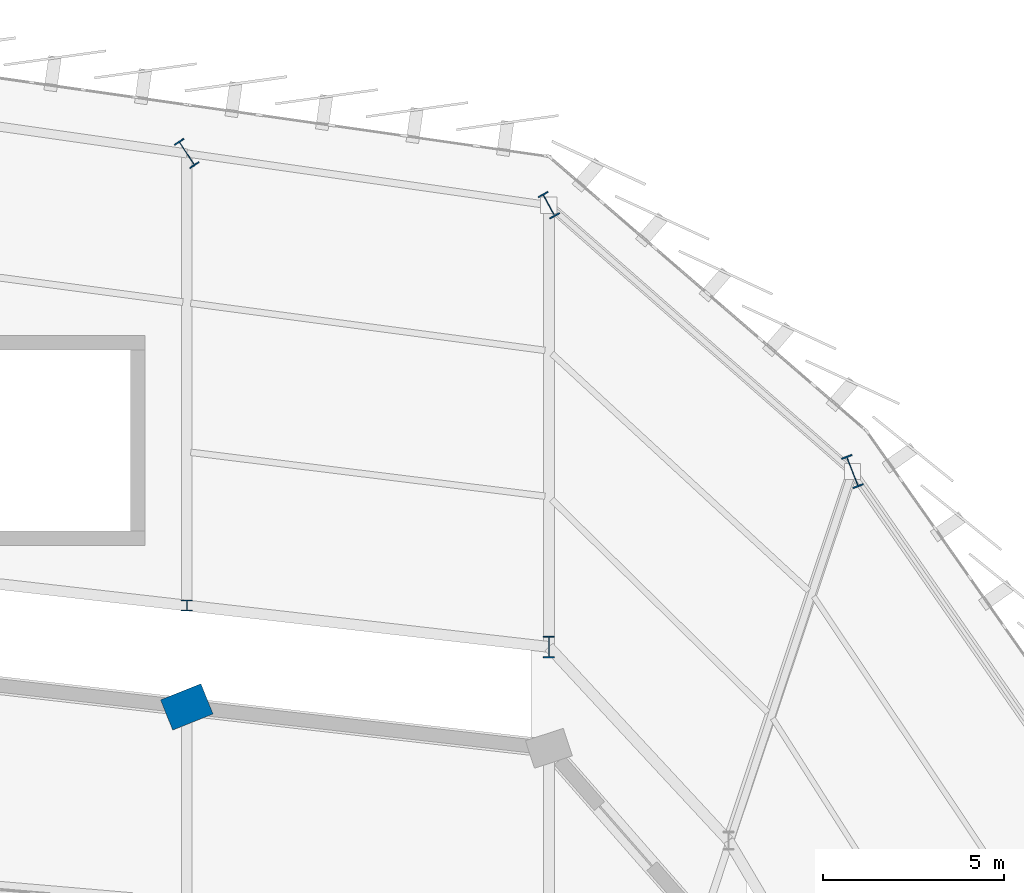
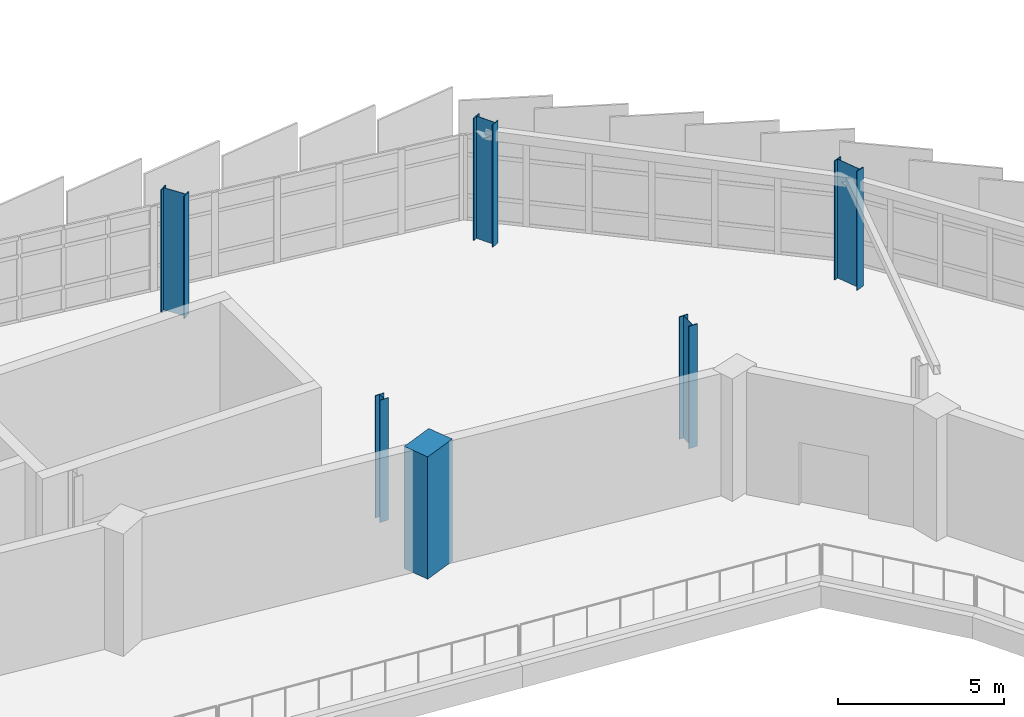
# One storey, part 14 of 87: 6 columns.
"""IFC4 building model written with IfcOpenShell, lengths in metres."""

from ifc_helpers import new_model, si_unit, direction, frame, origin, origin_2d, place, context, subcontext, project, spatial, rectangle, i_section, extrude, material, material_profile, profile_set, type_object, element, save


model = new_model("IFC4")

# Units and contexts
model_context = context("Model", 3, precision=1e-05, world=origin(), true_north=direction((0.0, 1.0)))
body_context = subcontext(model_context, "Body", "Model", "MODEL_VIEW")
ifc_project = project(units=[si_unit("LENGTHUNIT", "METRE"), si_unit("AREAUNIT", "SQUARE_METRE"), si_unit("VOLUMEUNIT", "CUBIC_METRE"), si_unit("PLANEANGLEUNIT", "RADIAN"), si_unit("MASSUNIT", "GRAM", prefix="KILO")], contexts=[model_context])

# Site, building, storey
site_placement = place(None, origin())
site = spatial("IfcSite", under=ifc_project, at=site_placement, CompositionType="ELEMENT")
building_placement = place(site_placement, origin())
building = spatial("IfcBuilding", under=site, at=building_placement, Name="Sohan Crest Arena", CompositionType="ELEMENT")
storey_placement = place(building_placement, frame((0.0, 0.0, 18.0)))
storey = spatial("IfcBuildingStorey", under=building, at=storey_placement, Name="L04", CompositionType="ELEMENT", Elevation=18.0)

# Columns
ifc_material_1 = material(Name="Concrete C40/50", Category="concrete")
ifc_material_profile_1 = material_profile(ifc_material_1, rectangle(XDim=1.199951171875, YDim=0.89990234375, at=origin_2d()), Name="RC 1200x900")
ifc_profile_set_1 = profile_set([ifc_material_profile_1], Name="Concrete C40/50")
column_type_1 = type_object("IfcColumnType", Name="STR-COL-C11", PredefinedType="COLUMN", material=ifc_profile_set_1)
column_1_placement = place(storey_placement, frame((158.0, 102.14306640625, 0.0), z_axis=(0.0, 0.0, 1.0), x_axis=(0.927836253899, 0.372987782576, 0.0)))
element("IfcColumn", 1, at=column_1_placement, inside=storey, type_object=column_type_1, Name="Structural column COL-V1R-29-L04", PredefinedType="COLUMN", context=body_context, shape_type="SweptSolid", body=[
    extrude(rectangle(XDim=1.199951171875, YDim=0.89990234375, at=origin_2d()), origin(), (0.0, 0.0, 1.0), 4.5),
])
ifc_material_2 = material(Name="Steel S355", Category="steel")
ifc_material_profile_2 = material_profile(ifc_material_2, i_section(OverallWidth=0.300048828125, OverallDepth=0.300048828125, WebThickness=0.010986328125, FlangeThickness=0.01904296875, at=origin_2d()), Name="HEB 300")
ifc_profile_set_2 = profile_set([ifc_material_profile_2], Name="Steel S355")
column_type_2 = type_object("IfcColumnType", Name="STR-COL-C17", PredefinedType="COLUMN", material=ifc_profile_set_2)
column_2_placement = place(storey_placement, frame((158.0, 104.943115234375, 0.0), z_axis=(0.0, 0.0, 1.0), x_axis=(1.0, 0.0, 0.0)))
element("IfcColumn", 2, at=column_2_placement, inside=storey, type_object=column_type_2, Name="Structural column COL-V2I-29-L04", PredefinedType="COLUMN", context=body_context, shape_type="SweptSolid", body=[
    extrude(i_section(OverallWidth=0.300048828125, OverallDepth=0.300048828125, WebThickness=0.010986328125, FlangeThickness=0.01904296875, at=origin_2d()), origin(), (0.0, 0.0, 1.0), 4.5),
])
ifc_material_profile_3 = material_profile(ifc_material_2, i_section(OverallWidth=0.300048828125, OverallDepth=0.60009765625, WebThickness=0.015380859375, FlangeThickness=0.030029296875, at=origin_2d()), Name="HEB 600")
ifc_profile_set_3 = profile_set([ifc_material_profile_3], Name="Steel S355")
column_type_3 = type_object("IfcColumnType", Name="STR-COL-C20", PredefinedType="COLUMN", material=ifc_profile_set_3)
column_3_placement = place(storey_placement, frame((168.0, 103.800048828125, 0.0), z_axis=(0.0, 0.0, 1.0), x_axis=(1.0, 0.0, 0.0)))
element("IfcColumn", 3, at=column_3_placement, inside=storey, type_object=column_type_3, Name="Structural column COL-V2I-28-L04", PredefinedType="COLUMN", context=body_context, shape_type="SweptSolid", body=[
    extrude(i_section(OverallWidth=0.300048828125, OverallDepth=0.60009765625, WebThickness=0.015380859375, FlangeThickness=0.030029296875, at=origin_2d()), origin(), (0.0, 0.0, 1.0), 4.5),
])
ifc_material_profile_4 = material_profile(ifc_material_2, i_section(OverallWidth=0.300048828125, OverallDepth=0.699951171875, WebThickness=0.01708984375, FlangeThickness=0.031982421875, at=origin_2d()), Name="HEB 700")
ifc_profile_set_4 = profile_set([ifc_material_profile_4], Name="Steel S355")
column_type_4 = type_object("IfcColumnType", Name="STR-COL-C21", PredefinedType="COLUMN", material=ifc_profile_set_4)
column_4_placement = place(storey_placement, frame((168.0, 116.0, 0.0), z_axis=(0.0, 0.0, 1.0), x_axis=(0.878817112662, 0.47715876026, 0.0)))
element("IfcColumn", 4, at=column_4_placement, inside=storey, type_object=column_type_4, Name="Structural column COL-V2O-28-L04", PredefinedType="COLUMN", context=body_context, shape_type="SweptSolid", body=[
    extrude(i_section(OverallWidth=0.300048828125, OverallDepth=0.699951171875, WebThickness=0.01708984375, FlangeThickness=0.031982421875, at=origin_2d()), origin(), (0.0, 0.0, 1.0), 4.5),
])
ifc_material_profile_5 = material_profile(ifc_material_2, i_section(OverallWidth=0.300048828125, OverallDepth=0.800048828125, WebThickness=0.017578125, FlangeThickness=0.032958984375, at=origin_2d()), Name="HEB 800")
ifc_profile_set_5 = profile_set([ifc_material_profile_5], Name="Steel S355")
column_type_5 = type_object("IfcColumnType", Name="STR-COL-C22", PredefinedType="COLUMN", material=ifc_profile_set_5)
column_5_placement = place(storey_placement, frame((158.0, 117.428955078125, 0.0), z_axis=(0.0, 0.0, 1.0), x_axis=(0.835807361368, 0.549022817998, 0.0)))
element("IfcColumn", 5, at=column_5_placement, inside=storey, type_object=column_type_5, Name="Structural column COL-V2O-29-L04", PredefinedType="COLUMN", context=body_context, shape_type="SweptSolid", body=[
    extrude(i_section(OverallWidth=0.300048828125, OverallDepth=0.800048828125, WebThickness=0.017578125, FlangeThickness=0.032958984375, at=origin_2d()), origin(), (0.0, 0.0, 1.0), 4.5),
])
ifc_material_profile_6 = material_profile(ifc_material_2, i_section(OverallWidth=0.300048828125, OverallDepth=0.89990234375, WebThickness=0.0185546875, FlangeThickness=0.034912109375, at=origin_2d()), Name="HEB 900")
ifc_profile_set_6 = profile_set([ifc_material_profile_6], Name="Steel S355")
column_type_6 = type_object("IfcColumnType", Name="STR-COL-C23", PredefinedType="COLUMN", material=ifc_profile_set_6)
column_6_placement = place(storey_placement, frame((176.383056640625, 108.64501953125, 0.0), z_axis=(0.0, 0.0, 1.0), x_axis=(0.931055815863, 0.364876784338, 0.0)))
element("IfcColumn", 6, at=column_6_placement, inside=storey, type_object=column_type_6, Name="Structural column COL-V2O-27-L04", PredefinedType="COLUMN", context=body_context, shape_type="SweptSolid", body=[
    extrude(i_section(OverallWidth=0.300048828125, OverallDepth=0.89990234375, WebThickness=0.0185546875, FlangeThickness=0.034912109375, at=origin_2d()), origin(), (0.0, 0.0, 1.0), 4.375),
])

save(model, "model.ifc")
